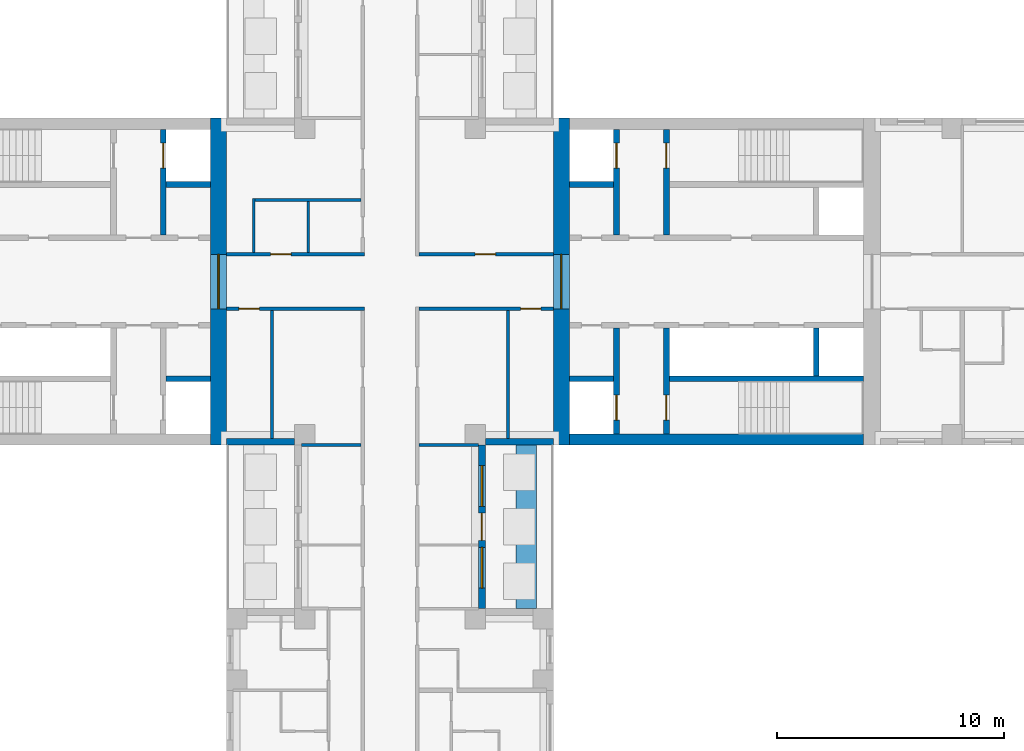
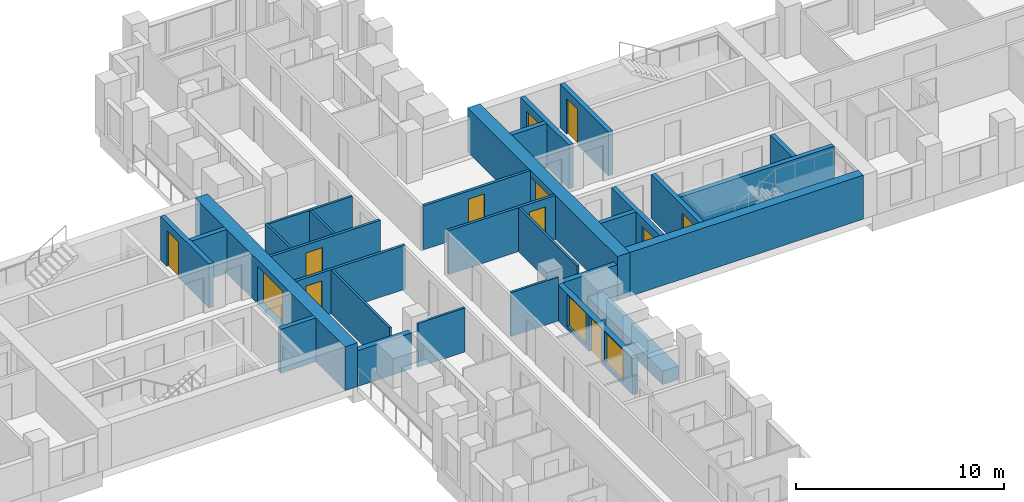
# One storey, part 8 of 14: 29 walls, 12 doors, 2 windows, 14 openings.
"""IFC4 building model written with IfcOpenShell, lengths in metres."""

import ifcopenshell
import ifcopenshell.guid

model = None  # the IFC model being written
_history = None  # IfcOwnerHistory: only IFC2X3 demands one
_inside = {}  # id of a spatial element -> (the spatial element, [elements in it])
_under = {}  # id of a project, library or spatial element -> (it, [spatial elements below it])
_declared = {}  # id of a project -> (the project, [libraries it declares])
_typed = {}  # id of a type object -> (the type object, [elements of that type])
_made_of = {}  # id of a material, layer set ... -> (it, [elements and type objects made of it])


def new_model(schema):
    """Start an empty IFC model of exactly this schema.

    Asked for "IFC4X3", IfcOpenShell would pick the latest addendum, in which some entities
    have other attributes; the version numbers below select the first issue.
    IFC2X3 requires an IfcOwnerHistory on every rooted entity: one is made here for all.
    """
    global model, _history
    if schema == "IFC4X3":
        model = ifcopenshell.file(schema_version=(4, 3, 0, 0))
    else:
        model = ifcopenshell.file(schema=schema)
    _inside.clear()
    _under.clear()
    _declared.clear()
    _typed.clear()
    _made_of.clear()
    _history = None
    if model.schema == "IFC2X3":
        org = make("IfcOrganization", Name="unknown")
        user = make(
            "IfcPersonAndOrganization",
            ThePerson=make("IfcPerson", FamilyName="unknown"),
            TheOrganization=org,
        )
        app = make(
            "IfcApplication",
            ApplicationDeveloper=org,
            Version="unknown",
            ApplicationFullName="unknown",
            ApplicationIdentifier="unknown",
        )
        _history = make(
            "IfcOwnerHistory",
            OwningUser=user,
            OwningApplication=app,
            ChangeAction="ADDED",
            CreationDate=0,
        )
    return model


def make(cls, **values):
    """One entity of the class cls with the attributes given. An attribute that is None is left unset."""
    return model.create_entity(
        cls, **{name: value for name, value in values.items() if value is not None}
    )


def rooted(cls, **values):
    """An entity with a GlobalId (a new one), such as an element, a storey or a relation."""
    return make(cls, GlobalId=ifcopenshell.guid.new(), OwnerHistory=_history, **values)


def si_unit(unit_type, name, prefix=None):
    """IfcSIUnit, for example si_unit("LENGTHUNIT", "METRE", prefix="MILLI")."""
    return make("IfcSIUnit", UnitType=unit_type, Prefix=prefix, Name=name)


def assignment(units):
    """IfcUnitAssignment: the units of a project."""
    return None if units is None else make("IfcUnitAssignment", Units=units)


def point(xyz):
    """IfcCartesianPoint."""
    return None if xyz is None else make("IfcCartesianPoint", Coordinates=xyz)


def direction(xyz):
    """IfcDirection."""
    return None if xyz is None else make("IfcDirection", DirectionRatios=xyz)


def frame(location, z_axis=None, x_axis=None):
    """IfcAxis2Placement3D, a coordinate frame: its origin and axes. An axis left out is left unset."""
    return make(
        "IfcAxis2Placement3D",
        Location=point(location),
        Axis=direction(z_axis),
        RefDirection=direction(x_axis),
    )


def frame_2d(location, x_axis=None):
    """IfcAxis2Placement2D, a coordinate frame in the plane: its origin and x axis."""
    return make(
        "IfcAxis2Placement2D", Location=point(location), RefDirection=direction(x_axis)
    )


def origin():
    """The frame at (0, 0, 0) with its axes left unset."""
    return frame((0.0, 0.0, 0.0))


def place(relative_to, where):
    """IfcLocalPlacement: puts the frame where relative to a parent placement (None: the world)."""
    return make(
        "IfcLocalPlacement", PlacementRelTo=relative_to, RelativePlacement=where
    )


def context(
    kind, dimensions, precision=None, world=None, true_north=None, identifier=None
):
    """IfcGeometricRepresentationContext, for example the 3D "Model" context."""
    return make(
        "IfcGeometricRepresentationContext",
        ContextIdentifier=identifier,
        ContextType=kind,
        CoordinateSpaceDimension=dimensions,
        Precision=precision,
        WorldCoordinateSystem=world,
        TrueNorth=true_north,
    )


def subcontext(parent, identifier, kind, view, scale=None):
    """IfcGeometricRepresentationSubContext, for example "Body" below "Model"."""
    return make(
        "IfcGeometricRepresentationSubContext",
        ContextIdentifier=identifier,
        ContextType=kind,
        ParentContext=parent,
        TargetScale=scale,
        TargetView=view,
    )


def project(units=None, contexts=None):
    """IfcProject with its units and contexts."""
    return rooted(
        "IfcProject",
        Name="project",
        RepresentationContexts=contexts,
        UnitsInContext=assignment(units),
    )


def spatial(cls, under=None, at=None, **own):
    """A site, building, storey or space (cls), placed at a placement, below another one or the project."""
    s = rooted(cls, ObjectPlacement=at, **own)
    if under is not None:
        _under.setdefault(under.id(), (under, []))[1].append(s)
    return s


def profile(cls, at=None, kind="AREA", **sizes):
    """A parametric profile (cls). Its sizes go by their IFC names, for example OverallWidth=200.0."""
    return make(cls, ProfileType=kind, Position=at, **sizes)


def rectangle(**sizes):
    """IfcRectangleProfileDef."""
    return profile("IfcRectangleProfileDef", **sizes)


def extrude(swept, where, along, depth):
    """IfcExtrudedAreaSolid: the profile swept, set in the frame where, extruded along a direction by depth."""
    return make(
        "IfcExtrudedAreaSolid",
        SweptArea=swept,
        Position=where,
        ExtrudedDirection=direction(along),
        Depth=depth,
    )


def shape(context_of_items, identifier, shape_type, items):
    """IfcShapeRepresentation: the items that make up one representation, for example the "Body"."""
    return make(
        "IfcShapeRepresentation",
        ContextOfItems=context_of_items,
        RepresentationIdentifier=identifier,
        RepresentationType=shape_type,
        Items=items,
    )


def material(Name=None, Category=None):
    """IfcMaterial."""
    return make("IfcMaterial", Name=Name, Category=Category)


def layer(
    of_material, thickness, ventilated=None, Name=None, Category=None, Priority=None
):
    """IfcMaterialLayer: one layer of a wall or slab, of a material (None: an air gap)."""
    return make(
        "IfcMaterialLayer",
        Material=of_material,
        LayerThickness=thickness,
        IsVentilated=ventilated,
        Name=Name,
        Category=Category,
        Priority=Priority,
    )


def layer_set(layers, Name=None):
    """IfcMaterialLayerSet."""
    return make("IfcMaterialLayerSet", MaterialLayers=layers, LayerSetName=Name)


def made_of(thing, what):
    """Note that an element or type object is made of a material, layer set ...; save() writes the relation."""
    if what is not None:
        _made_of.setdefault(what.id(), (what, []))[1].append(thing)
    return thing


def type_object(cls, material=None, **own):
    """A type object (cls), such as IfcWallType, which elements share."""
    return made_of(rooted(cls, **own), material)


def element(
    cls,
    number,
    at=None,
    inside=None,
    cuts=None,
    type_object=None,
    material=None,
    context=None,
    identifier="Body",
    shape_type=None,
    held_by="IfcProductDefinitionShape",
    body=None,
    shapes=None,
    **own,
):
    """One element of the class cls, such as IfcWall. Its Tag is "e" and its number.

    at: its placement. inside: the storey or other place that contains it. cuts: it is an
    opening in that element (IfcRelVoidsElement). A single representation is given by context,
    identifier, shape_type and body (its items); several are given by shapes. held_by: the class
    of the entity that holds the representations. save() writes the other relations.
    """
    e = rooted(cls, Tag="e%d" % number, ObjectPlacement=at, **own)
    if body is not None:
        shapes = [shape(context, identifier, shape_type, body)]
    if shapes is not None:
        e.Representation = make(held_by, Representations=shapes)
    if inside is not None:
        _inside.setdefault(inside.id(), (inside, []))[1].append(e)
    if cuts is not None:
        rooted(
            "IfcRelVoidsElement", RelatingBuildingElement=cuts, RelatedOpeningElement=e
        )
    if type_object is not None:
        _typed.setdefault(type_object.id(), (type_object, []))[1].append(e)
    return made_of(e, material)


def fill(opening, filler):
    """IfcRelFillsElement: the door or window that sits in an opening."""
    return rooted(
        "IfcRelFillsElement",
        RelatingOpeningElement=opening,
        RelatedBuildingElement=filler,
    )


def aggregate(whole, parts):
    """IfcRelAggregates: a whole, such as a stair, and the parts it consists of."""
    return rooted("IfcRelAggregates", RelatingObject=whole, RelatedObjects=parts)


def save(model, path):
    """Write the relations noted so far, then the file.

    IfcRelAggregates (storeys below a building ...), IfcRelContainedInSpatialStructure (elements
    in a storey), IfcRelDefinesByType, IfcRelAssociatesMaterial and IfcRelDeclares: one each for
    every whole, place, type object, material and project.
    """
    for whole, parts in _under.values():
        aggregate(whole, parts)
    for where, things in _inside.values():
        rooted(
            "IfcRelContainedInSpatialStructure",
            RelatedElements=things,
            RelatingStructure=where,
        )
    for kind, things in _typed.values():
        rooted("IfcRelDefinesByType", RelatedObjects=things, RelatingType=kind)
    for what, things in _made_of.values():
        rooted("IfcRelAssociatesMaterial", RelatedObjects=things, RelatingMaterial=what)
    for by, libraries in _declared.values():
        rooted("IfcRelDeclares", RelatingContext=by, RelatedDefinitions=libraries)
    model.write(path)


model = new_model("IFC4")

# Units and contexts
model_context = context("Model", 3, precision=1e-05, world=origin(), true_north=direction((0.0, 1.0)))
body_context = subcontext(model_context, "Body", "Model", "MODEL_VIEW")
ifc_project = project(units=[si_unit("LENGTHUNIT", "METRE"), si_unit("AREAUNIT", "SQUARE_METRE"), si_unit("VOLUMEUNIT", "CUBIC_METRE"), si_unit("PLANEANGLEUNIT", "RADIAN"), si_unit("MASSUNIT", "GRAM", prefix="KILO")], contexts=[model_context])

# Site, building, storey
site_placement = place(None, origin())
site = spatial("IfcSite", under=ifc_project, at=site_placement, CompositionType="ELEMENT")
building_placement = place(site_placement, origin())
building = spatial("IfcBuilding", under=site, at=building_placement, Name="Fustian Cross Tower", CompositionType="ELEMENT")
storey_placement = place(building_placement, frame((0.0, 0.0, 72.89990234375)))
storey = spatial("IfcBuildingStorey", under=building, at=storey_placement, Name="L22", CompositionType="ELEMENT", Elevation=72.89990234375)

# Wall, opening, door
ifc_material_1 = material(Name="Plasterboard on steel stud", Category="steel")
ifc_layer_1 = layer(ifc_material_1, 0.14990234375)
ifc_layer_set_1 = layer_set([ifc_layer_1], Name="Plasterboard on steel stud")
wall_type_1 = type_object("IfcWallType", Name="COMPARTMENT WALL 150 EI 60", PredefinedType="PARTITIONING", material=ifc_layer_set_1)
wall_1_placement = place(storey_placement, frame((-7.199951171875, -1.199951171875, 0.0), z_axis=(0.0, 0.0, 1.0), x_axis=(1.0, 0.0, 0.0)))
wall_1 = element("IfcWall", 1, at=wall_1_placement, inside=storey, type_object=wall_type_1, Name="Partition 16", PredefinedType="PARTITIONING", context=body_context, shape_type="SweptSolid", body=[
    extrude(rectangle(XDim=6.074951171875, YDim=0.14990234375, at=frame_2d((3.03759765625, 0.0))), origin(), (0.0, 0.0, 1.0), 2.5751953125),
])
opening_1_placement = place(wall_1_placement, frame((0.550048828125, 0.0, 0.0)))
opening_1 = element("IfcOpeningElement", 2, at=opening_1_placement, cuts=wall_1, Name="Opening D11008", PredefinedType="OPENING", context=body_context, shape_type="SweptSolid", body=[
    extrude(rectangle(XDim=0.89990234375, YDim=2.10009765625, at=frame_2d((0.449951171875, 1.050048828125))), frame((0.0, 0.0849609375, 0.0), z_axis=(0.0, -1.0, 0.0), x_axis=(1.0, 0.0, 0.0)), (0.0, 0.0, 1.0), 0.169921875),
])
ifc_material_2 = material(Name="Timber fire door set", Category="wood")
door_type_1 = type_object("IfcDoorType", Name="FIRE SWING DOOR 900 FD30S", OperationType="SINGLE_SWING_LEFT", PredefinedType="DOOR", material=ifc_material_2)
door_1_placement = place(opening_1_placement, frame((0.89990234375, 0.0, 0.0), z_axis=(0.0, 0.0, 1.0), x_axis=(-1.0, 0.0, 0.0)))
door_1 = element("IfcDoor", 3, at=door_1_placement, inside=storey, type_object=door_type_1, Name="Door D11008", OperationType="SINGLE_SWING_RIGHT", OverallHeight=2.10009765625, OverallWidth=0.89990234375, PredefinedType="DOOR", context=body_context, shape_type="SweptSolid", body=[
    extrude(rectangle(XDim=0.89990234375, YDim=2.10009765625, at=frame_2d((0.449951171875, 1.050048828125))), frame((0.0, 0.02490234375, 0.0), z_axis=(0.0, -1.0, 0.0), x_axis=(1.0, 0.0, 0.0)), (0.0, 0.0, 1.0), 0.050048828125),
])
fill(opening_1, door_1)

wall_2_placement = place(storey_placement, frame((-7.199951171875, 1.199951171875, 0.0), z_axis=(0.0, 0.0, 1.0), x_axis=(1.0, 0.0, 0.0)))
wall_2 = element("IfcWall", 4, at=wall_2_placement, inside=storey, type_object=wall_type_1, Name="Partition 17", PredefinedType="PARTITIONING", context=body_context, shape_type="SweptSolid", body=[
    extrude(rectangle(XDim=6.074951171875, YDim=0.14990234375, at=frame_2d((3.03759765625, 0.0))), origin(), (0.0, 0.0, 1.0), 2.5751953125),
])
opening_2_placement = place(wall_2_placement, frame((1.949951171875, 0.0, 0.0)))
opening_2 = element("IfcOpeningElement", 5, at=opening_2_placement, cuts=wall_2, Name="Opening D11003", PredefinedType="OPENING", context=body_context, shape_type="SweptSolid", body=[
    extrude(rectangle(XDim=0.89990234375, YDim=2.10009765625, at=frame_2d((0.449951171875, 1.050048828125))), frame((0.0, 0.0849609375, 0.0), z_axis=(0.0, -1.0, 0.0), x_axis=(1.0, 0.0, 0.0)), (0.0, 0.0, 1.0), 0.169921875),
])
door_2_placement = place(opening_2_placement, origin())
door_2 = element("IfcDoor", 6, at=door_2_placement, inside=storey, type_object=door_type_1, Name="Door D11003", OperationType="SINGLE_SWING_LEFT", OverallHeight=2.10009765625, OverallWidth=0.89990234375, PredefinedType="DOOR", context=body_context, shape_type="SweptSolid", body=[
    extrude(rectangle(XDim=0.89990234375, YDim=2.10009765625, at=frame_2d((0.449951171875, 1.050048828125))), frame((0.0, 0.02490234375, 0.0), z_axis=(0.0, -1.0, 0.0), x_axis=(1.0, 0.0, 0.0)), (0.0, 0.0, 1.0), 0.050048828125),
])
fill(opening_2, door_2)

wall_3_placement = place(storey_placement, frame((1.27490234375, -1.199951171875, 0.0), z_axis=(0.0, 0.0, 1.0), x_axis=(1.0, 0.0, 0.0)))
wall_3 = element("IfcWall", 7, at=wall_3_placement, inside=storey, type_object=wall_type_1, Name="Partition 59", PredefinedType="PARTITIONING", context=body_context, shape_type="SweptSolid", body=[
    extrude(rectangle(XDim=5.925048828125, YDim=0.14990234375, at=frame_2d((2.96240234375, 0.0))), origin(), (0.0, 0.0, 1.0), 2.5751953125),
])
opening_3_placement = place(wall_3_placement, frame((4.47509765625, 0.0, 0.0)))
opening_3 = element("IfcOpeningElement", 8, at=opening_3_placement, cuts=wall_3, Name="Opening D11006", PredefinedType="OPENING", context=body_context, shape_type="SweptSolid", body=[
    extrude(rectangle(XDim=0.89990234375, YDim=2.10009765625, at=frame_2d((0.449951171875, 1.050048828125))), frame((0.0, 0.0849609375, 0.0), z_axis=(0.0, -1.0, 0.0), x_axis=(1.0, 0.0, 0.0)), (0.0, 0.0, 1.0), 0.169921875),
])
door_3_placement = place(opening_3_placement, frame((0.89990234375, 0.0, 0.0), z_axis=(0.0, 0.0, 1.0), x_axis=(-1.0, 0.0, 0.0)))
door_3 = element("IfcDoor", 9, at=door_3_placement, inside=storey, type_object=door_type_1, Name="Door D11006", OperationType="SINGLE_SWING_RIGHT", OverallHeight=2.10009765625, OverallWidth=0.89990234375, PredefinedType="DOOR", context=body_context, shape_type="SweptSolid", body=[
    extrude(rectangle(XDim=0.89990234375, YDim=2.10009765625, at=frame_2d((0.449951171875, 1.050048828125))), frame((0.0, 0.02490234375, 0.0), z_axis=(0.0, -1.0, 0.0), x_axis=(1.0, 0.0, 0.0)), (0.0, 0.0, 1.0), 0.050048828125),
])
fill(opening_3, door_3)

wall_4_placement = place(storey_placement, frame((1.27490234375, 1.199951171875, 0.0), z_axis=(0.0, 0.0, 1.0), x_axis=(1.0, 0.0, 0.0)))
wall_4 = element("IfcWall", 10, at=wall_4_placement, inside=storey, type_object=wall_type_1, Name="Partition 61", PredefinedType="PARTITIONING", context=body_context, shape_type="SweptSolid", body=[
    extrude(rectangle(XDim=5.925048828125, YDim=0.14990234375, at=frame_2d((2.96240234375, 0.0))), origin(), (0.0, 0.0, 1.0), 2.5751953125),
])
opening_4_placement = place(wall_4_placement, frame((2.47509765625, 0.0, 0.0)))
opening_4 = element("IfcOpeningElement", 11, at=opening_4_placement, cuts=wall_4, Name="Opening D11001", PredefinedType="OPENING", context=body_context, shape_type="SweptSolid", body=[
    extrude(rectangle(XDim=0.89990234375, YDim=2.10009765625, at=frame_2d((0.449951171875, 1.050048828125))), frame((0.0, 0.0849609375, 0.0), z_axis=(0.0, -1.0, 0.0), x_axis=(1.0, 0.0, 0.0)), (0.0, 0.0, 1.0), 0.169921875),
])
door_4_placement = place(opening_4_placement, origin())
door_4 = element("IfcDoor", 12, at=door_4_placement, inside=storey, type_object=door_type_1, Name="Door D11001", OperationType="SINGLE_SWING_LEFT", OverallHeight=2.10009765625, OverallWidth=0.89990234375, PredefinedType="DOOR", context=body_context, shape_type="SweptSolid", body=[
    extrude(rectangle(XDim=0.89990234375, YDim=2.10009765625, at=frame_2d((0.449951171875, 1.050048828125))), frame((0.0, 0.02490234375, 0.0), z_axis=(0.0, -1.0, 0.0), x_axis=(1.0, 0.0, 0.0)), (0.0, 0.0, 1.0), 0.050048828125),
])
fill(opening_4, door_4)

ifc_material_3 = material(Name="Concrete C70/85", Category="concrete")
ifc_layer_2 = layer(ifc_material_3, 0.699951171875)
ifc_layer_set_2 = layer_set([ifc_layer_2], Name="Concrete C70/85")
wall_type_2 = type_object("IfcWallType", Name="CORE END WALL 700 C70/85", PredefinedType="SHEAR", material=ifc_layer_set_2)
wall_5_placement = place(storey_placement, frame((7.550048828125, -7.199951171875, 0.0), z_axis=(0.0, 0.0, 1.0), x_axis=(0.0, 1.0, 0.0)))
wall_5 = element("IfcWall", 13, at=wall_5_placement, inside=storey, type_object=wall_type_2, Name="Core end wall", PredefinedType="SHEAR", context=body_context, shape_type="SweptSolid", body=[
    extrude(rectangle(XDim=14.39990234375, YDim=0.699951171875, at=frame_2d((7.199951171875, 0.0))), origin(), (0.0, 0.0, 1.0), 2.5751953125),
])
opening_5_placement = place(wall_5_placement, frame((6.0, 0.0, 0.0)))
opening_5 = element("IfcOpeningElement", 14, at=opening_5_placement, cuts=wall_5, Name="Opening CD-09-12", PredefinedType="OPENING", context=body_context, shape_type="SweptSolid", body=[
    extrude(rectangle(XDim=2.39990234375, YDim=2.199951171875, at=frame_2d((1.199951171875, 1.10009765625))), frame((0.0, 0.35986328125, 0.0), z_axis=(0.0, -1.0, 0.0), x_axis=(1.0, 0.0, 0.0)), (0.0, 0.0, 1.0), 0.719970703125),
])
ifc_material_4 = material(Name="Steel", Category="steel")
door_type_2 = type_object("IfcDoorType", Name="FIRE DOOR FD30S DOUBLE 2400X2200", OperationType="DOUBLE_DOOR_DOUBLE_SWING", PredefinedType="DOOR", material=ifc_material_4)
door_5_placement = place(opening_5_placement, frame((2.39990234375, 0.0, 0.0), z_axis=(0.0, 0.0, 1.0), x_axis=(-1.0, 0.0, 0.0)))
door_5 = element("IfcDoor", 15, at=door_5_placement, inside=storey, type_object=door_type_2, Name="Core door CD-09-12", OperationType="DOUBLE_DOOR_DOUBLE_SWING", OverallHeight=2.199951171875, OverallWidth=2.39990234375, PredefinedType="DOOR", context=body_context, shape_type="SweptSolid", body=[
    extrude(rectangle(XDim=2.39990234375, YDim=2.199951171875, at=frame_2d((1.199951171875, 1.10009765625))), frame((0.0, 0.02490234375, 0.0), z_axis=(0.0, -1.0, 0.0), x_axis=(1.0, 0.0, 0.0)), (0.0, 0.0, 1.0), 0.050048828125),
])
fill(opening_5, door_5)

wall_6_placement = place(storey_placement, frame((-7.550048828125, -7.199951171875, 0.0), z_axis=(0.0, 0.0, 1.0), x_axis=(0.0, 1.0, 0.0)))
wall_6 = element("IfcWall", 16, at=wall_6_placement, inside=storey, type_object=wall_type_2, Name="Core end wall", PredefinedType="SHEAR", context=body_context, shape_type="SweptSolid", body=[
    extrude(rectangle(XDim=14.39990234375, YDim=0.699951171875, at=frame_2d((7.199951171875, 0.0))), origin(), (0.0, 0.0, 1.0), 2.5751953125),
])
opening_6_placement = place(wall_6_placement, frame((6.0, 0.0, 0.0)))
opening_6 = element("IfcOpeningElement", 17, at=opening_6_placement, cuts=wall_6, Name="Opening CD-09-26", PredefinedType="OPENING", context=body_context, shape_type="SweptSolid", body=[
    extrude(rectangle(XDim=2.39990234375, YDim=2.199951171875, at=frame_2d((1.199951171875, 1.10009765625))), frame((0.0, 0.35986328125, 0.0), z_axis=(0.0, -1.0, 0.0), x_axis=(1.0, 0.0, 0.0)), (0.0, 0.0, 1.0), 0.719970703125),
])
door_6_placement = place(opening_6_placement, origin())
door_6 = element("IfcDoor", 18, at=door_6_placement, inside=storey, type_object=door_type_2, Name="Core door CD-09-26", OperationType="DOUBLE_DOOR_DOUBLE_SWING", OverallHeight=2.199951171875, OverallWidth=2.39990234375, PredefinedType="DOOR", context=body_context, shape_type="SweptSolid", body=[
    extrude(rectangle(XDim=2.39990234375, YDim=2.199951171875, at=frame_2d((1.199951171875, 1.10009765625))), frame((0.0, 0.02490234375, 0.0), z_axis=(0.0, -1.0, 0.0), x_axis=(1.0, 0.0, 0.0)), (0.0, 0.0, 1.0), 0.050048828125),
])
fill(opening_6, door_6)

# Walls
ifc_material_5 = material(Name="Concrete C70/85", Category="concrete")
ifc_layer_3 = layer(ifc_material_5, 0.5)
ifc_layer_set_3 = layer_set([ifc_layer_3], Name="Concrete C70/85")
wall_type_3 = type_object("IfcWallType", Name="CORE FACADE WALL 500 C70/85", PredefinedType="SHEAR", material=ifc_layer_set_3)
wall_7_placement = place(storey_placement, frame((7.89990234375, -6.949951171875, 0.0), z_axis=(0.0, 0.0, 1.0), x_axis=(1.0, 0.0, 0.0)))
element("IfcWall", 19, at=wall_7_placement, inside=storey, type_object=wall_type_3, Name="Core facade wall", PredefinedType="SHEAR", context=body_context, shape_type="SweptSolid", body=[
    extrude(rectangle(XDim=12.9501953125, YDim=0.5, at=frame_2d((6.47509765625, 0.0))), origin(), (0.0, 0.0, 1.0), 2.5751953125),
])
ifc_material_6 = material(Name="Concrete C50/60", Category="concrete")
ifc_layer_4 = layer(ifc_material_6, 0.25)
ifc_layer_set_4 = layer_set([ifc_layer_4], Name="Concrete C50/60")
wall_type_4 = type_object("IfcWallType", Name="CORE SHAFT WALL 250 C50/60", PredefinedType="SHEAR", material=ifc_layer_set_4)
wall_8_placement = place(storey_placement, frame((7.89990234375, 4.27490234375, 0.0), z_axis=(0.0, 0.0, 1.0), x_axis=(1.0, 0.0, 0.0)))
element("IfcWall", 20, at=wall_8_placement, inside=storey, type_object=wall_type_4, Name="Core shaft wall", PredefinedType="SHEAR", context=body_context, shape_type="SweptSolid", body=[
    extrude(rectangle(XDim=1.9501953125, YDim=0.25, at=frame_2d((0.97509765625, 0.0))), origin(), (0.0, 0.0, 1.0), 2.5751953125),
])

# Wall, opening, door
wall_9_placement = place(storey_placement, frame((9.97509765625, 2.050048828125, 0.0), z_axis=(0.0, 0.0, 1.0), x_axis=(0.0, 1.0, 0.0)))
wall_9 = element("IfcWall", 21, at=wall_9_placement, inside=storey, type_object=wall_type_4, Name="Core shaft wall", PredefinedType="SHEAR", context=body_context, shape_type="SweptSolid", body=[
    extrude(rectangle(XDim=4.64990234375, YDim=0.25, at=frame_2d((2.324951171875, 0.0))), origin(), (0.0, 0.0, 1.0), 2.5751953125),
])
opening_7_placement = place(wall_9_placement, frame((2.949951171875, 0.0, 0.0)))
opening_7 = element("IfcOpeningElement", 22, at=opening_7_placement, cuts=wall_9, Name="Opening LD", PredefinedType="OPENING", context=body_context, shape_type="SweptSolid", body=[
    extrude(rectangle(XDim=1.10009765625, YDim=2.10009765625, at=frame_2d((0.550048828125, 1.050048828125))), frame((0.0, 0.135009765625, 0.0), z_axis=(0.0, -1.0, 0.0), x_axis=(1.0, 0.0, 0.0)), (0.0, 0.0, 1.0), 0.27001953125),
])
ifc_material_7 = material(Name="Stainless steel", Category="steel")
door_type_3 = type_object("IfcDoorType", Name="LIFT LANDING DOOR 1100X2100", OperationType="SLIDING_TO_LEFT", PredefinedType="DOOR", material=ifc_material_7)
door_7_placement = place(opening_7_placement, origin())
door_7 = element("IfcDoor", 23, at=door_7_placement, inside=storey, type_object=door_type_3, Name="Landing door FL1", OperationType="SLIDING_TO_LEFT", OverallHeight=2.10009765625, OverallWidth=1.10009765625, PredefinedType="DOOR", context=body_context, shape_type="SweptSolid", body=[
    extrude(rectangle(XDim=1.10009765625, YDim=2.10009765625, at=frame_2d((0.550048828125, 1.050048828125))), frame((0.0, 0.02490234375, 0.0), z_axis=(0.0, -1.0, 0.0), x_axis=(1.0, 0.0, 0.0)), (0.0, 0.0, 1.0), 0.050048828125),
])
fill(opening_7, door_7)

wall_10_placement = place(storey_placement, frame((12.175048828125, 2.050048828125, 0.0), z_axis=(0.0, 0.0, 1.0), x_axis=(0.0, 1.0, 0.0)))
wall_10 = element("IfcWall", 24, at=wall_10_placement, inside=storey, type_object=wall_type_4, Name="Core shaft wall", PredefinedType="SHEAR", context=body_context, shape_type="SweptSolid", body=[
    extrude(rectangle(XDim=4.64990234375, YDim=0.25, at=frame_2d((2.324951171875, 0.0))), origin(), (0.0, 0.0, 1.0), 2.5751953125),
])
opening_8_placement = place(wall_10_placement, frame((2.949951171875, 0.0, 0.0)))
opening_8 = element("IfcOpeningElement", 25, at=opening_8_placement, cuts=wall_10, Name="Opening CD-09-06", PredefinedType="OPENING", context=body_context, shape_type="SweptSolid", body=[
    extrude(rectangle(XDim=1.10009765625, YDim=2.10009765625, at=frame_2d((0.550048828125, 1.050048828125))), frame((0.0, 0.135009765625, 0.0), z_axis=(0.0, -1.0, 0.0), x_axis=(1.0, 0.0, 0.0)), (0.0, 0.0, 1.0), 0.27001953125),
])
ifc_material_8 = material(Name="Steel", Category="steel")
door_type_4 = type_object("IfcDoorType", Name="FIRE DOOR FD60S 1100X2100", OperationType="SINGLE_SWING_LEFT", PredefinedType="DOOR", material=ifc_material_8)
door_8_placement = place(opening_8_placement, frame((1.10009765625, 0.0, 0.0), z_axis=(0.0, 0.0, 1.0), x_axis=(-1.0, 0.0, 0.0)))
door_8 = element("IfcDoor", 26, at=door_8_placement, inside=storey, type_object=door_type_4, Name="Core door CD-09-06", OperationType="SINGLE_SWING_RIGHT", OverallHeight=2.10009765625, OverallWidth=1.10009765625, PredefinedType="DOOR", context=body_context, shape_type="SweptSolid", body=[
    extrude(rectangle(XDim=1.10009765625, YDim=2.10009765625, at=frame_2d((0.550048828125, 1.050048828125))), frame((0.0, 0.02490234375, 0.0), z_axis=(0.0, -1.0, 0.0), x_axis=(1.0, 0.0, 0.0)), (0.0, 0.0, 1.0), 0.050048828125),
])
fill(opening_8, door_8)

# Walls
wall_11_placement = place(storey_placement, frame((7.89990234375, -4.27490234375, 0.0), z_axis=(0.0, 0.0, 1.0), x_axis=(1.0, 0.0, 0.0)))
element("IfcWall", 27, at=wall_11_placement, inside=storey, type_object=wall_type_4, Name="Core shaft wall", PredefinedType="SHEAR", context=body_context, shape_type="SweptSolid", body=[
    extrude(rectangle(XDim=1.9501953125, YDim=0.25, at=frame_2d((0.97509765625, 0.0))), origin(), (0.0, 0.0, 1.0), 2.5751953125),
])
wall_12_placement = place(storey_placement, frame((12.300048828125, -4.27490234375, 0.0), z_axis=(0.0, 0.0, 1.0), x_axis=(1.0, 0.0, 0.0)))
element("IfcWall", 28, at=wall_12_placement, inside=storey, type_object=wall_type_4, Name="Core shaft wall", PredefinedType="SHEAR", context=body_context, shape_type="SweptSolid", body=[
    extrude(rectangle(XDim=8.550048828125, YDim=0.25, at=frame_2d((4.27490234375, 0.0))), origin(), (0.0, 0.0, 1.0), 2.5751953125),
])

# Wall, opening, door
wall_13_placement = place(storey_placement, frame((9.97509765625, -2.050048828125, 0.0), z_axis=(0.0, 0.0, 1.0), x_axis=(0.0, -1.0, 0.0)))
wall_13 = element("IfcWall", 29, at=wall_13_placement, inside=storey, type_object=wall_type_4, Name="Core shaft wall", PredefinedType="SHEAR", context=body_context, shape_type="SweptSolid", body=[
    extrude(rectangle(XDim=4.64990234375, YDim=0.25, at=frame_2d((2.324951171875, 0.0))), origin(), (0.0, 0.0, 1.0), 2.5751953125),
])
opening_9_placement = place(wall_13_placement, frame((2.949951171875, 0.0, 0.0)))
opening_9 = element("IfcOpeningElement", 30, at=opening_9_placement, cuts=wall_13, Name="Opening LD", PredefinedType="OPENING", context=body_context, shape_type="SweptSolid", body=[
    extrude(rectangle(XDim=1.10009765625, YDim=2.10009765625, at=frame_2d((0.550048828125, 1.050048828125))), frame((0.0, 0.135009765625, 0.0), z_axis=(0.0, -1.0, 0.0), x_axis=(1.0, 0.0, 0.0)), (0.0, 0.0, 1.0), 0.27001953125),
])
door_9_placement = place(opening_9_placement, origin())
door_9 = element("IfcDoor", 31, at=door_9_placement, inside=storey, type_object=door_type_3, Name="Landing door SV1", OperationType="SLIDING_TO_LEFT", OverallHeight=2.10009765625, OverallWidth=1.10009765625, PredefinedType="DOOR", context=body_context, shape_type="SweptSolid", body=[
    extrude(rectangle(XDim=1.10009765625, YDim=2.10009765625, at=frame_2d((0.550048828125, 1.050048828125))), frame((0.0, 0.02490234375, 0.0), z_axis=(0.0, -1.0, 0.0), x_axis=(1.0, 0.0, 0.0)), (0.0, 0.0, 1.0), 0.050048828125),
])
fill(opening_9, door_9)

wall_14_placement = place(storey_placement, frame((12.175048828125, -2.050048828125, 0.0), z_axis=(0.0, 0.0, 1.0), x_axis=(0.0, -1.0, 0.0)))
wall_14 = element("IfcWall", 32, at=wall_14_placement, inside=storey, type_object=wall_type_4, Name="Core shaft wall", PredefinedType="SHEAR", context=body_context, shape_type="SweptSolid", body=[
    extrude(rectangle(XDim=4.64990234375, YDim=0.25, at=frame_2d((2.324951171875, 0.0))), origin(), (0.0, 0.0, 1.0), 2.5751953125),
])
opening_10_placement = place(wall_14_placement, frame((2.949951171875, 0.0, 0.0)))
opening_10 = element("IfcOpeningElement", 33, at=opening_10_placement, cuts=wall_14, Name="Opening CD-09-07", PredefinedType="OPENING", context=body_context, shape_type="SweptSolid", body=[
    extrude(rectangle(XDim=1.10009765625, YDim=2.10009765625, at=frame_2d((0.550048828125, 1.050048828125))), frame((0.0, 0.135009765625, 0.0), z_axis=(0.0, -1.0, 0.0), x_axis=(1.0, 0.0, 0.0)), (0.0, 0.0, 1.0), 0.27001953125),
])
door_10_placement = place(opening_10_placement, origin())
door_10 = element("IfcDoor", 34, at=door_10_placement, inside=storey, type_object=door_type_4, Name="Core door CD-09-07", OperationType="SINGLE_SWING_LEFT", OverallHeight=2.10009765625, OverallWidth=1.10009765625, PredefinedType="DOOR", context=body_context, shape_type="SweptSolid", body=[
    extrude(rectangle(XDim=1.10009765625, YDim=2.10009765625, at=frame_2d((0.550048828125, 1.050048828125))), frame((0.0, 0.02490234375, 0.0), z_axis=(0.0, -1.0, 0.0), x_axis=(1.0, 0.0, 0.0)), (0.0, 0.0, 1.0), 0.050048828125),
])
fill(opening_10, door_10)

# Wall
wall_15_placement = place(storey_placement, frame((-7.89990234375, 4.27490234375, 0.0), z_axis=(0.0, 0.0, 1.0), x_axis=(-1.0, 0.0, 0.0)))
element("IfcWall", 35, at=wall_15_placement, inside=storey, type_object=wall_type_4, Name="Core shaft wall", PredefinedType="SHEAR", context=body_context, shape_type="SweptSolid", body=[
    extrude(rectangle(XDim=1.9501953125, YDim=0.25, at=frame_2d((0.97509765625, 0.0))), origin(), (0.0, 0.0, 1.0), 2.5751953125),
])

# Wall, opening, door
wall_16_placement = place(storey_placement, frame((-9.97509765625, 2.050048828125, 0.0), z_axis=(0.0, 0.0, 1.0), x_axis=(0.0, 1.0, 0.0)))
wall_16 = element("IfcWall", 36, at=wall_16_placement, inside=storey, type_object=wall_type_4, Name="Core shaft wall", PredefinedType="SHEAR", context=body_context, shape_type="SweptSolid", body=[
    extrude(rectangle(XDim=4.64990234375, YDim=0.25, at=frame_2d((2.324951171875, 0.0))), origin(), (0.0, 0.0, 1.0), 2.5751953125),
])
opening_11_placement = place(wall_16_placement, frame((2.949951171875, 0.0, 0.0)))
opening_11 = element("IfcOpeningElement", 37, at=opening_11_placement, cuts=wall_16, Name="Opening LD", PredefinedType="OPENING", context=body_context, shape_type="SweptSolid", body=[
    extrude(rectangle(XDim=1.10009765625, YDim=2.10009765625, at=frame_2d((0.550048828125, 1.050048828125))), frame((0.0, 0.135009765625, 0.0), z_axis=(0.0, -1.0, 0.0), x_axis=(1.0, 0.0, 0.0)), (0.0, 0.0, 1.0), 0.27001953125),
])
door_11_placement = place(opening_11_placement, origin())
door_11 = element("IfcDoor", 38, at=door_11_placement, inside=storey, type_object=door_type_3, Name="Landing door FL1W", OperationType="SLIDING_TO_LEFT", OverallHeight=2.10009765625, OverallWidth=1.10009765625, PredefinedType="DOOR", context=body_context, shape_type="SweptSolid", body=[
    extrude(rectangle(XDim=1.10009765625, YDim=2.10009765625, at=frame_2d((0.550048828125, 1.050048828125))), frame((0.0, 0.02490234375, 0.0), z_axis=(0.0, -1.0, 0.0), x_axis=(1.0, 0.0, 0.0)), (0.0, 0.0, 1.0), 0.050048828125),
])
fill(opening_11, door_11)

# Walls
wall_17_placement = place(storey_placement, frame((-7.89990234375, -4.27490234375, 0.0), z_axis=(0.0, 0.0, 1.0), x_axis=(-1.0, 0.0, 0.0)))
element("IfcWall", 39, at=wall_17_placement, inside=storey, type_object=wall_type_4, Name="Core shaft wall", PredefinedType="SHEAR", context=body_context, shape_type="SweptSolid", body=[
    extrude(rectangle(XDim=1.9501953125, YDim=0.25, at=frame_2d((0.97509765625, 0.0))), origin(), (0.0, 0.0, 1.0), 2.5751953125),
])
ifc_material_9 = material(Name="Concrete C40/50", Category="concrete")
ifc_layer_5 = layer(ifc_material_9, 0.89990234375)
ifc_layer_set_5 = layer_set([ifc_layer_5], Name="Concrete C40/50")
wall_type_5 = type_object("IfcWallType", Name="PK1 PLANTER 900", PredefinedType="PARAPET", material=ifc_layer_set_5)
wall_18_placement = place(storey_placement, frame((6.0, -14.39990234375, 0.0), z_axis=(0.0, 0.0, 1.0), x_axis=(0.0, 1.0, 0.0)))
element("IfcWall", 40, at=wall_18_placement, inside=storey, type_object=wall_type_5, Name="PLANTER", PredefinedType="PARAPET", context=body_context, shape_type="SweptSolid", body=[
    extrude(rectangle(XDim=7.199951171875, YDim=0.89990234375, at=frame_2d((3.60009765625, 0.0))), origin(), (0.0, 0.0, 1.0), 0.800048828125),
])
ifc_material_10 = material(Name="Concrete C40/50", Category="concrete")
ifc_layer_6 = layer(ifc_material_10, 0.25)
ifc_layer_set_6 = layer_set([ifc_layer_6], Name="Concrete C40/50")
wall_type_6 = type_object("IfcWallType", Name="SHAFT PARTITION WALL 250 C40/50", PredefinedType="PARTITIONING", material=ifc_layer_set_6)
wall_19_placement = place(storey_placement, frame((18.77490234375, -2.050048828125, 0.0), z_axis=(0.0, 0.0, 1.0), x_axis=(0.0, -1.0, 0.0)))
element("IfcWall", 41, at=wall_19_placement, inside=storey, type_object=wall_type_6, Name="Core shaft wall", PredefinedType="PARTITIONING", context=body_context, shape_type="SweptSolid", body=[
    extrude(rectangle(XDim=2.099853515625, YDim=0.25, at=frame_2d((1.0498046875, 0.0))), origin(), (0.0, 0.0, 1.0), 2.5751953125),
])
ifc_material_11 = material(Name="Plasterboard on steel stud", Category="steel")
ifc_layer_7 = layer(ifc_material_11, 0.125)
ifc_layer_set_7 = layer_set([ifc_layer_7], Name="Plasterboard on steel stud")
wall_type_7 = type_object("IfcWallType", Name="WET WALL 125 STUD", PredefinedType="PARTITIONING", material=ifc_layer_set_7)
wall_20_placement = place(storey_placement, frame((-6.0, 1.27490234375, 0.0), z_axis=(0.0, 0.0, 1.0), x_axis=(0.0, 1.0, 0.0)))
element("IfcWall", 42, at=wall_20_placement, inside=storey, type_object=wall_type_7, Name="Partition 25", PredefinedType="PARTITIONING", context=body_context, shape_type="SweptSolid", body=[
    extrude(rectangle(XDim=2.3876953125, YDim=0.125, at=frame_2d((1.19384765625, 0.0))), origin(), (0.0, 0.0, 1.0), 2.5751953125),
])
wall_21_placement = place(storey_placement, frame((-5.9375, 3.60009765625, 0.0), z_axis=(0.0, 0.0, 1.0), x_axis=(1.0, 0.0, 0.0)))
element("IfcWall", 43, at=wall_21_placement, inside=storey, type_object=wall_type_7, Name="Partition 26", PredefinedType="PARTITIONING", context=body_context, shape_type="SweptSolid", body=[
    extrude(rectangle(XDim=4.66259765625, YDim=0.125, at=frame_2d((2.331298828125, 0.0))), origin(), (0.0, 0.0, 1.0), 2.5751953125),
])
wall_22_placement = place(storey_placement, frame((-5.199951171875, -6.89990234375, 0.0), z_axis=(0.0, 0.0, 1.0), x_axis=(0.0, 1.0, 0.0)))
element("IfcWall", 44, at=wall_22_placement, inside=storey, type_object=wall_type_7, Name="Partition 27", PredefinedType="PARTITIONING", context=body_context, shape_type="SweptSolid", body=[
    extrude(rectangle(XDim=5.625, YDim=0.125, at=frame_2d((2.8125, 0.0))), origin(), (0.0, 0.0, 1.0), 2.5751953125),
])
wall_23_placement = place(storey_placement, frame((-3.89990234375, -7.199951171875, 0.0), z_axis=(0.0, 0.0, 1.0), x_axis=(1.0, 0.0, 0.0)))
element("IfcWall", 45, at=wall_23_placement, inside=storey, type_object=wall_type_7, Name="Partition 40", PredefinedType="PARTITIONING", context=body_context, shape_type="SweptSolid", body=[
    extrude(rectangle(XDim=2.625, YDim=0.125, at=frame_2d((1.3125, 0.0))), origin(), (0.0, 0.0, 1.0), 2.5751953125),
])
wall_24_placement = place(storey_placement, frame((-3.60009765625, 1.27490234375, 0.0), z_axis=(0.0, 0.0, 1.0), x_axis=(0.0, 1.0, 0.0)))
element("IfcWall", 46, at=wall_24_placement, inside=storey, type_object=wall_type_7, Name="Partition 43", PredefinedType="PARTITIONING", context=body_context, shape_type="SweptSolid", body=[
    extrude(rectangle(XDim=2.2626953125, YDim=0.125, at=frame_2d((1.13134765625, 0.0))), origin(), (0.0, 0.0, 1.0), 2.5751953125),
])
wall_25_placement = place(storey_placement, frame((1.27490234375, -7.199951171875, 0.0), z_axis=(0.0, 0.0, 1.0), x_axis=(1.0, 0.0, 0.0)))
element("IfcWall", 47, at=wall_25_placement, inside=storey, type_object=wall_type_7, Name="Partition 58", PredefinedType="PARTITIONING", context=body_context, shape_type="SweptSolid", body=[
    extrude(rectangle(XDim=2.625, YDim=0.125, at=frame_2d((1.3125, 0.0))), origin(), (0.0, 0.0, 1.0), 2.5751953125),
])
wall_26_placement = place(storey_placement, frame((5.199951171875, -6.89990234375, 0.0), z_axis=(0.0, 0.0, 1.0), x_axis=(0.0, 1.0, 0.0)))
element("IfcWall", 48, at=wall_26_placement, inside=storey, type_object=wall_type_7, Name="Partition 83", PredefinedType="PARTITIONING", context=body_context, shape_type="SweptSolid", body=[
    extrude(rectangle(XDim=5.625, YDim=0.125, at=frame_2d((2.8125, 0.0))), origin(), (0.0, 0.0, 1.0), 2.5751953125),
])
ifc_material_12 = material(Name="Dark aluminium cladding on insulated backing wall", Category="aluminium")
ifc_layer_8 = layer(ifc_material_12, 0.300048828125)
ifc_layer_set_8 = layer_set([ifc_layer_8], Name="Dark aluminium cladding on insulated backing wall")
wall_type_8 = type_object("IfcWallType", Name="XW1 EXTERNAL WALL 300", PredefinedType="SOLIDWALL", material=ifc_layer_set_8)
wall_27_placement = place(storey_placement, frame((-7.199951171875, -7.050048828125, 0.0), z_axis=(0.0, 0.0, 1.0), x_axis=(1.0, 0.0, 0.0)))
element("IfcWall", 49, at=wall_27_placement, inside=storey, type_object=wall_type_8, Name="External wall", PredefinedType="SOLIDWALL", context=body_context, shape_type="SweptSolid", body=[
    extrude(rectangle(XDim=3.0, YDim=0.300048828125, at=frame_2d((1.5, 0.0))), origin(), (0.0, 0.0, 1.0), 2.10009765625),
])

# Wall, openings, door, windows
wall_28_placement = place(storey_placement, frame((4.050048828125, -14.39990234375, 0.0), z_axis=(0.0, 0.0, 1.0), x_axis=(0.0, 1.0, 0.0)))
wall_28 = element("IfcWall", 50, at=wall_28_placement, inside=storey, type_object=wall_type_8, Name="External wall", PredefinedType="SOLIDWALL", context=body_context, shape_type="SweptSolid", body=[
    extrude(rectangle(XDim=7.199951171875, YDim=0.300048828125, at=frame_2d((3.60009765625, 0.0))), origin(), (0.0, 0.0, 1.0), 2.10009765625),
])
opening_12_placement = place(wall_28_placement, frame((3.0, 0.0, 0.0)))
opening_12 = element("IfcOpeningElement", 51, at=opening_12_placement, cuts=wall_28, Name="Opening XD3", PredefinedType="OPENING", context=body_context, shape_type="SweptSolid", body=[
    extrude(rectangle(XDim=1.199951171875, YDim=2.050048828125, at=frame_2d((0.60009765625, 1.02490234375))), frame((0.0, 0.159912109375, 0.0), z_axis=(0.0, -1.0, 0.0), x_axis=(1.0, 0.0, 0.0)), (0.0, 0.0, 1.0), 0.320068359375),
])
opening_13_placement = place(wall_28_placement, frame((0.89990234375, 0.0, 0.199951171875)))
opening_13 = element("IfcOpeningElement", 52, at=opening_13_placement, cuts=wall_28, Name="Opening WN2", PredefinedType="OPENING", context=body_context, shape_type="SweptSolid", body=[
    extrude(rectangle(XDim=1.800048828125, YDim=1.85009765625, at=frame_2d((0.89990234375, 0.925048828125))), frame((0.0, 0.159912109375, 0.0), z_axis=(0.0, -1.0, 0.0), x_axis=(1.0, 0.0, 0.0)), (0.0, 0.0, 1.0), 0.320068359375),
])
opening_14_placement = place(wall_28_placement, frame((4.5, 0.0, 0.199951171875)))
opening_14 = element("IfcOpeningElement", 53, at=opening_14_placement, cuts=wall_28, Name="Opening WN2", PredefinedType="OPENING", context=body_context, shape_type="SweptSolid", body=[
    extrude(rectangle(XDim=1.800048828125, YDim=1.85009765625, at=frame_2d((0.89990234375, 0.925048828125))), frame((0.0, 0.159912109375, 0.0), z_axis=(0.0, -1.0, 0.0), x_axis=(1.0, 0.0, 0.0)), (0.0, 0.0, 1.0), 0.320068359375),
])
ifc_material_13 = material(Name="Dark anodised aluminium and double glazing", Category="aluminium")
door_type_5 = type_object("IfcDoorType", Name="ED1 BALCONY DOOR 1200X2050", OperationType="SINGLE_SWING_LEFT", PredefinedType="DOOR", material=ifc_material_13)
door_12_placement = place(opening_12_placement, origin())
door_12 = element("IfcDoor", 54, at=door_12_placement, inside=storey, type_object=door_type_5, Name="Balcony door", OperationType="SINGLE_SWING_LEFT", OverallHeight=2.050048828125, OverallWidth=1.199951171875, PredefinedType="DOOR", context=body_context, shape_type="SweptSolid", body=[
    extrude(rectangle(XDim=1.199951171875, YDim=2.050048828125, at=frame_2d((0.60009765625, 1.02490234375))), frame((0.0, 0.02490234375, 0.0), z_axis=(0.0, -1.0, 0.0), x_axis=(1.0, 0.0, 0.0)), (0.0, 0.0, 1.0), 0.050048828125),
])
fill(opening_12, door_12)
ifc_material_14 = material(Name="Dark anodised aluminium and double glazing", Category="aluminium")
window_type = type_object("IfcWindowType", Name="WN2 WINDOW 1800X1850", PartitioningType="SINGLE_PANEL", PredefinedType="WINDOW", material=ifc_material_14)
window_1_placement = place(opening_13_placement, origin())
window_1 = element("IfcWindow", 55, at=window_1_placement, inside=storey, type_object=window_type, Name="Window", OverallHeight=1.85009765625, OverallWidth=1.800048828125, PartitioningType="SINGLE_PANEL", PredefinedType="WINDOW", context=body_context, shape_type="SweptSolid", body=[
    extrude(rectangle(XDim=1.800048828125, YDim=1.85009765625, at=frame_2d((0.89990234375, 0.925048828125))), frame((0.0, 0.030029296875, 0.0), z_axis=(0.0, -1.0, 0.0), x_axis=(1.0, 0.0, 0.0)), (0.0, 0.0, 1.0), 0.06005859375),
])
fill(opening_13, window_1)
window_2_placement = place(opening_14_placement, origin())
window_2 = element("IfcWindow", 56, at=window_2_placement, inside=storey, type_object=window_type, Name="Window", OverallHeight=1.85009765625, OverallWidth=1.800048828125, PartitioningType="SINGLE_PANEL", PredefinedType="WINDOW", context=body_context, shape_type="SweptSolid", body=[
    extrude(rectangle(XDim=1.800048828125, YDim=1.85009765625, at=frame_2d((0.89990234375, 0.925048828125))), frame((0.0, 0.030029296875, 0.0), z_axis=(0.0, -1.0, 0.0), x_axis=(1.0, 0.0, 0.0)), (0.0, 0.0, 1.0), 0.06005859375),
])
fill(opening_14, window_2)

# Wall
wall_29_placement = place(storey_placement, frame((4.199951171875, -7.050048828125, 0.0), z_axis=(0.0, 0.0, 1.0), x_axis=(1.0, 0.0, 0.0)))
element("IfcWall", 57, at=wall_29_placement, inside=storey, type_object=wall_type_8, Name="External wall", PredefinedType="SOLIDWALL", context=body_context, shape_type="SweptSolid", body=[
    extrude(rectangle(XDim=3.0, YDim=0.300048828125, at=frame_2d((1.5, 0.0))), origin(), (0.0, 0.0, 1.0), 2.10009765625),
])

save(model, "model.ifc")
